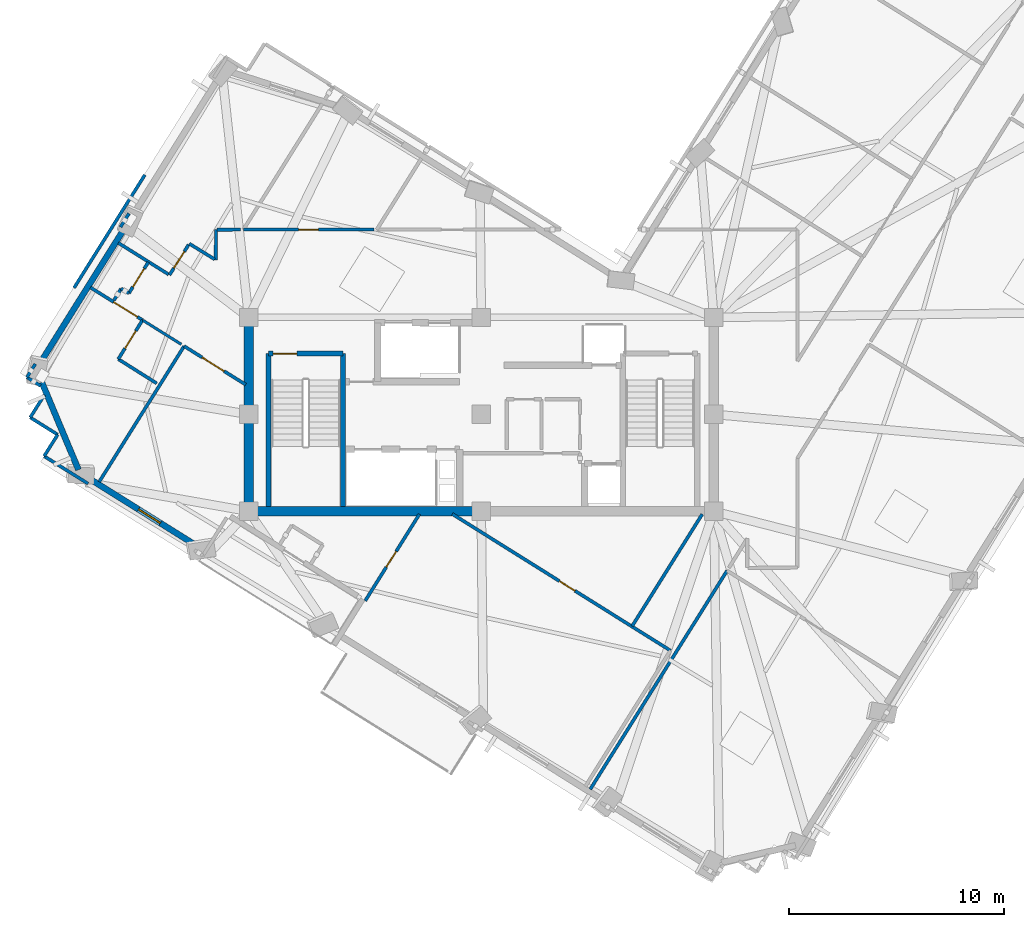
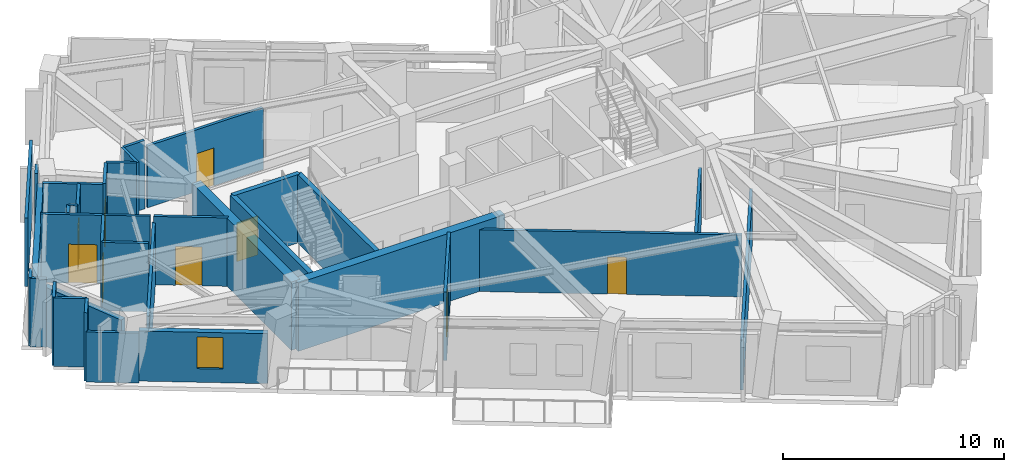
# One storey, part 5 of 12: 35 walls, 9 doors, 1 window, 10 openings.
"""IFC4 building model written with IfcOpenShell, lengths in metres."""

from ifc_helpers import new_model, si_unit, direction, frame, frame_2d, origin, place, context, subcontext, project, spatial, rectangle, extrude, material, layer, layer_set, type_object, element, fill, save


model = new_model("IFC4")

# Units and contexts
model_context = context("Model", 3, precision=1e-05, world=origin(), true_north=direction((0.0, 1.0)))
body_context = subcontext(model_context, "Body", "Model", "MODEL_VIEW")
ifc_project = project(units=[si_unit("LENGTHUNIT", "METRE"), si_unit("AREAUNIT", "SQUARE_METRE"), si_unit("VOLUMEUNIT", "CUBIC_METRE"), si_unit("PLANEANGLEUNIT", "RADIAN"), si_unit("MASSUNIT", "GRAM", prefix="KILO")], contexts=[model_context])

# Site, building, storey
site_placement = place(None, origin())
site = spatial("IfcSite", under=ifc_project, at=site_placement, CompositionType="ELEMENT")
building_placement = place(site_placement, origin())
building = spatial("IfcBuilding", under=site, at=building_placement, Name="Gaonmaruhae Medical Tower", CompositionType="ELEMENT")
storey_placement = place(building_placement, frame((0.0, 0.0, 272.60009765625)))
storey = spatial("IfcBuildingStorey", under=building, at=storey_placement, Name="L65", CompositionType="ELEMENT", Elevation=272.60009765625)

# Walls
ifc_material_1 = material(Name="Concrete C50/60", Category="concrete")
ifc_layer_1 = layer(ifc_material_1, 0.449951171875)
ifc_layer_set_1 = layer_set([ifc_layer_1], Name="Concrete C50/60")
wall_type_1 = type_object("IfcWallType", Name="CW-450 Upper Core Shear Wall", PredefinedType="SHEAR", material=ifc_layer_set_1)
wall_1_placement = place(storey_placement, frame((14.0, 7.800048828125, 0.0), z_axis=(0.0, 0.0, 1.0), x_axis=(1.0, 0.0, 0.0)))
element("IfcWall", 1, at=wall_1_placement, inside=storey, type_object=wall_type_1, Name="L65 Core Shear Wall CSW-S1", PredefinedType="SHEAR", context=body_context, shape_type="SweptSolid", body=[
    extrude(rectangle(XDim=10.800048828125, YDim=0.449951171875, at=frame_2d((5.39990234375, 0.0))), origin(), (0.0, 0.0, 1.0), 3.77978515625),
])
wall_2_placement = place(storey_placement, frame((14.0, 16.800048828125, 0.0), z_axis=(0.0, 0.0, 1.0), x_axis=(0.0, -1.0, 0.0)))
element("IfcWall", 2, at=wall_2_placement, inside=storey, type_object=wall_type_1, Name="L65 Core Shear Wall CSW-W1", PredefinedType="SHEAR", context=body_context, shape_type="SweptSolid", body=[
    extrude(rectangle(XDim=9.0, YDim=0.449951171875, at=frame_2d((4.5, 0.0))), origin(), (0.0, 0.0, 1.0), 3.77978515625),
])
ifc_material_2 = material(Name="Precast concrete C45/55", Category="concrete")
ifc_layer_2 = layer(ifc_material_2, 0.280029296875)
ifc_layer_set_2 = layer_set([ifc_layer_2], Name="Precast concrete C45/55")
wall_type_2 = type_object("IfcWallType", Name="EW-280 Upper Precast Masonry-Frame Facade Wall", PredefinedType="SOLIDWALL", material=ifc_layer_set_2)
wall_3_placement = place(storey_placement, frame((4.236083984375, 14.5517578125, 0.0), z_axis=(0.0, 0.0, 1.0), x_axis=(0.530664333184, 0.847582070059, 0.0)))
element("IfcWall", 3, at=wall_3_placement, inside=storey, type_object=wall_type_2, Name="L65 Precast Masonry-Frame Wall N02-N03", PredefinedType="SOLIDWALL", context=body_context, shape_type="SweptSolid", body=[
    extrude(rectangle(XDim=7.48486328125, YDim=0.280029296875, at=frame_2d((3.742431640625, 0.0))), origin(), (0.0, 0.0, 1.0), 3.264892578125),
])
wall_4_placement = place(storey_placement, frame((6.0966796875, 9.72705078125, 0.0), z_axis=(0.0, 0.0, 1.0), x_axis=(-0.386419734829, 0.922323039143, 0.0)))
element("IfcWall", 4, at=wall_4_placement, inside=storey, type_object=wall_type_2, Name="L65 Precast Masonry-Frame Wall N03-W01", PredefinedType="SOLIDWALL", context=body_context, shape_type="SweptSolid", body=[
    extrude(rectangle(XDim=4.407958984375, YDim=0.280029296875, at=frame_2d((2.2041015625, 0.0))), origin(), (0.0, 0.0, 1.0), 3.264892578125),
])

# Wall, opening, window
wall_5_placement = place(storey_placement, frame((11.605712890625, 6.18408203125, 0.0), z_axis=(0.0, 0.0, 1.0), x_axis=(-0.847576941241, 0.530672524893, 0.0)))
wall_5 = element("IfcWall", 5, at=wall_5_placement, inside=storey, type_object=wall_type_2, Name="L65 Precast Masonry-Frame Wall W01-W02", PredefinedType="SOLIDWALL", context=body_context, shape_type="SweptSolid", body=[
    extrude(rectangle(XDim=5.830322265625, YDim=0.280029296875, at=frame_2d((2.9150390625, 0.0))), origin(), (0.0, 0.0, 1.0), 2.764892578125),
])
opening_1_placement = place(wall_5_placement, frame((2.014892578125, 0.0, 0.75)))
opening_1 = element("IfcOpeningElement", 6, at=opening_1_placement, cuts=wall_5, Name="Opening WN-05", PredefinedType="OPENING", context=body_context, shape_type="SweptSolid", body=[
    extrude(rectangle(XDim=1.199951171875, YDim=1.75, at=frame_2d((0.60009765625, 0.875))), frame((0.0, 0.14990234375, 0.0), z_axis=(0.0, -1.0, 0.0), x_axis=(1.0, 0.0, 0.0)), (0.0, 0.0, 1.0), 0.300048828125),
])
ifc_material_3 = material(Name="Anodised aluminium and Low-E double glazing", Category="aluminium")
window_type = type_object("IfcWindowType", Name="WN-05 Support & Staff Punched Window 1200x1750", PartitioningType="SINGLE_PANEL", PredefinedType="WINDOW", material=ifc_material_3)
window_placement = place(opening_1_placement, origin())
window = element("IfcWindow", 7, at=window_placement, inside=storey, type_object=window_type, Name="L65 Modular Facade Window W01", OverallHeight=1.75, OverallWidth=1.199951171875, PartitioningType="SINGLE_PANEL", PredefinedType="WINDOW", context=body_context, shape_type="SweptSolid", body=[
    extrude(rectangle(XDim=1.199951171875, YDim=1.75, at=frame_2d((0.60009765625, 0.875))), frame((0.0, 0.030029296875, 0.0), z_axis=(0.0, -1.0, 0.0), x_axis=(1.0, 0.0, 0.0)), (0.0, 0.0, 1.0), 0.06005859375),
])
fill(opening_1, window)

# Walls
ifc_material_4 = material(Name="Gypsum board partition", Category="gypsum")
ifc_layer_3 = layer(ifc_material_4, 0.125)
ifc_layer_set_3 = layer_set([ifc_layer_3], Name="Gypsum board partition")
wall_type_3 = type_object("IfcWallType", Name="PW-125 Ward & En-Suite Acoustic Partition", PredefinedType="PARTITIONING", material=ifc_layer_set_3)
wall_6_placement = place(storey_placement, frame((9.089111328125, 16.66796875, 0.0), z_axis=(0.0, 0.0, 1.0), x_axis=(0.847436188004, -0.530897266202, 0.0)))
element("IfcWall", 8, at=wall_6_placement, inside=storey, type_object=wall_type_3, Name="L65 Interior Partition L65-ENS01-56", PredefinedType="PARTITIONING", context=body_context, shape_type="SweptSolid", body=[
    extrude(rectangle(XDim=2.10009765625, YDim=0.125, at=frame_2d((1.050048828125, 0.0))), origin(), (0.0, 0.0, 1.0), 3.77978515625),
])
ifc_layer_4 = layer(ifc_material_4, 0.14990234375)
ifc_layer_set_4 = layer_set([ifc_layer_4], Name="Gypsum board partition")
wall_type_4 = type_object("IfcWallType", Name="PW-150 Rated Clinical Corridor Partition", PredefinedType="PARTITIONING", material=ifc_layer_set_4)
wall_7_placement = place(storey_placement, frame((29.85888671875, -5.10791015625, 0.0), z_axis=(0.0, 0.0, 1.0), x_axis=(0.530618227444, 0.847610934748, 0.0)))
element("IfcWall", 9, at=wall_7_placement, inside=storey, type_object=wall_type_4, Name="L65 Interior Partition L65-SUP01-12", PredefinedType="PARTITIONING", context=body_context, shape_type="SweptSolid", body=[
    extrude(rectangle(XDim=11.974609375, YDim=0.14990234375, at=frame_2d((5.9873046875, 0.0))), origin(), (0.0, 0.0, 1.0), 2.764892578125),
])

# Wall, opening, door
wall_8_placement = place(storey_placement, frame((19.410888671875, 3.64501953125, 0.0), z_axis=(0.0, 0.0, 1.0), x_axis=(0.530785412047, 0.847506251515, 0.0)))
wall_8 = element("IfcWall", 10, at=wall_8_placement, inside=storey, type_object=wall_type_4, Name="L65 Interior Partition L65-WOF05-38", PredefinedType="PARTITIONING", context=body_context, shape_type="SweptSolid", body=[
    extrude(rectangle(XDim=4.7421875, YDim=0.14990234375, at=frame_2d((2.37109375, 0.0))), origin(), (0.0, 0.0, 1.0), 3.77978515625),
])
opening_2_placement = place(wall_8_placement, frame((1.84423828125, 0.0, 0.0)))
opening_2 = element("IfcOpeningElement", 11, at=opening_2_placement, cuts=wall_8, Name="Opening AD-01", PredefinedType="OPENING", context=body_context, shape_type="SweptSolid", body=[
    extrude(rectangle(XDim=0.860107421875, YDim=2.06005859375, at=frame_2d((0.43017578125, 1.030029296875))), frame((0.0, 0.0849609375, 0.0), z_axis=(0.0, -1.0, 0.0), x_axis=(1.0, 0.0, 0.0)), (0.0, 0.0, 1.0), 0.169921875),
])
ifc_material_5 = material(Name="Powder-coated steel access door", Category="steel")
door_type_1 = type_object("IfcDoorType", Name="AD-01 Riser & Closet Access Fire Door 860x2060", OperationType="NOTDEFINED", PredefinedType="DOOR", material=ifc_material_5)
door_1_placement = place(opening_2_placement, origin())
door_1 = element("IfcDoor", 12, at=door_1_placement, inside=storey, type_object=door_type_1, Name="L65 Ward Physician Reporting Office Sliding Door", OperationType="SLIDING_TO_LEFT", OverallHeight=2.06005859375, OverallWidth=0.860107421875, PredefinedType="DOOR", context=body_context, shape_type="SweptSolid", body=[
    extrude(rectangle(XDim=0.860107421875, YDim=2.06005859375, at=frame_2d((0.43017578125, 1.030029296875))), frame((0.0, 0.02490234375, 0.0), z_axis=(0.0, -1.0, 0.0), x_axis=(1.0, 0.0, 0.0)), (0.0, 0.0, 1.0), 0.050048828125),
])
fill(opening_2, door_1)

wall_9_placement = place(storey_placement, frame((23.451904296875, 7.675048828125, 0.0), z_axis=(0.0, 0.0, 1.0), x_axis=(0.847604512147, -0.530628486786, 0.0)))
wall_9 = element("IfcWall", 13, at=wall_9_placement, inside=storey, type_object=wall_type_4, Name="L65 Interior Partition L65-WOF05-39", PredefinedType="PARTITIONING", context=body_context, shape_type="SweptSolid", body=[
    extrude(rectangle(XDim=11.953857421875, YDim=0.14990234375, at=frame_2d((5.97705078125, 0.0))), origin(), (0.0, 0.0, 1.0), 3.414794921875),
])
opening_3_placement = place(wall_9_placement, frame((5.8671875, 0.0, 0.0)))
opening_3 = element("IfcOpeningElement", 14, at=opening_3_placement, cuts=wall_9, Name="Opening AD-01", PredefinedType="OPENING", context=body_context, shape_type="SweptSolid", body=[
    extrude(rectangle(XDim=0.860107421875, YDim=2.06005859375, at=frame_2d((0.43017578125, 1.030029296875))), frame((0.0, 0.0849609375, 0.0), z_axis=(0.0, -1.0, 0.0), x_axis=(1.0, 0.0, 0.0)), (0.0, 0.0, 1.0), 0.169921875),
])
door_2_placement = place(opening_3_placement, origin())
door_2 = element("IfcDoor", 15, at=door_2_placement, inside=storey, type_object=door_type_1, Name="L65 Clinical Case Review Office Sliding Door", OperationType="SLIDING_TO_LEFT", OverallHeight=2.06005859375, OverallWidth=0.860107421875, PredefinedType="DOOR", context=body_context, shape_type="SweptSolid", body=[
    extrude(rectangle(XDim=0.860107421875, YDim=2.06005859375, at=frame_2d((0.43017578125, 1.030029296875))), frame((0.0, 0.02490234375, 0.0), z_axis=(0.0, -1.0, 0.0), x_axis=(1.0, 0.0, 0.0)), (0.0, 0.0, 1.0), 0.050048828125),
])
fill(opening_3, door_2)

# Wall
wall_10_placement = place(storey_placement, frame((7.05908203125, 9.166015625, 0.0), z_axis=(0.0, 0.0, 1.0), x_axis=(0.530586195895, 0.847630986176, 0.0)))
element("IfcWall", 16, at=wall_10_placement, inside=storey, type_object=wall_type_4, Name="L65 Interior Partition L65-WOF06-45", PredefinedType="PARTITIONING", context=body_context, shape_type="SweptSolid", body=[
    extrude(rectangle(XDim=7.434814453125, YDim=0.14990234375, at=frame_2d((3.71728515625, 0.0))), origin(), (0.0, 0.0, 1.0), 3.414794921875),
])

# Wall, opening, door
wall_11_placement = place(storey_placement, frame((11.00390625, 15.468017578125, 0.0), z_axis=(0.0, 0.0, 1.0), x_axis=(0.847668872786, -0.530525665836, 0.0)))
wall_11 = element("IfcWall", 17, at=wall_11_placement, inside=storey, type_object=wall_type_4, Name="L65 Interior Partition L65-WOF06-46", PredefinedType="PARTITIONING", context=body_context, shape_type="SweptSolid", body=[
    extrude(rectangle(XDim=3.3740234375, YDim=0.14990234375, at=frame_2d((1.68701171875, 0.0))), origin(), (0.0, 0.0, 1.0), 3.77978515625),
])
opening_4_placement = place(wall_11_placement, frame((0.990234375, 0.0, 0.0)))
opening_4 = element("IfcOpeningElement", 18, at=opening_4_placement, cuts=wall_11, Name="Opening CD-02", PredefinedType="OPENING", context=body_context, shape_type="SweptSolid", body=[
    extrude(rectangle(XDim=1.199951171875, YDim=2.14990234375, at=frame_2d((0.60009765625, 1.074951171875))), frame((0.0, 0.0849609375, 0.0), z_axis=(0.0, -1.0, 0.0), x_axis=(1.0, 0.0, 0.0)), (0.0, 0.0, 1.0), 0.169921875),
])
ifc_material_6 = material(Name="Antimicrobial laminate timber fire door", Category="wood")
door_type_2 = type_object("IfcDoorType", Name="CD-02 Clinical Treatment & Procedure Door 1200x2150", OperationType="NOTDEFINED", PredefinedType="DOOR", material=ifc_material_6)
door_3_placement = place(opening_4_placement, origin())
door_3 = element("IfcDoor", 19, at=door_3_placement, inside=storey, type_object=door_type_2, Name="L65 Ward Physician Reporting Office Door", OperationType="SINGLE_SWING_LEFT", OverallHeight=2.14990234375, OverallWidth=1.199951171875, PredefinedType="DOOR", context=body_context, shape_type="SweptSolid", body=[
    extrude(rectangle(XDim=1.199951171875, YDim=2.14990234375, at=frame_2d((0.60009765625, 1.074951171875))), frame((0.0, 0.02490234375, 0.0), z_axis=(0.0, -1.0, 0.0), x_axis=(1.0, 0.0, 0.0)), (0.0, 0.0, 1.0), 0.050048828125),
])
fill(opening_4, door_3)

# Walls
wall_12_placement = place(storey_placement, frame((4.339111328125, 13.6240234375, 0.0), z_axis=(0.0, 0.0, 1.0), x_axis=(-0.847357103452, 0.531023482748, 0.0)))
element("IfcWall", 20, at=wall_12_placement, inside=storey, type_object=wall_type_4, Name="L65 Interior Partition L65-BR01-47", PredefinedType="PARTITIONING", context=body_context, shape_type="SweptSolid", body=[
    extrude(rectangle(XDim=0.74951171875, YDim=0.14990234375, at=frame_2d((0.374755859375, 0.0))), origin(), (0.0, 0.0, 1.0), 3.77978515625),
])
wall_13_placement = place(storey_placement, frame((3.7041015625, 14.02197265625, 0.0), z_axis=(0.0, 0.0, 1.0), x_axis=(0.530358912713, 0.847773214784, 0.0)))
element("IfcWall", 21, at=wall_13_placement, inside=storey, type_object=wall_type_4, Name="L65 Interior Partition L65-BR01-48", PredefinedType="PARTITIONING", context=body_context, shape_type="SweptSolid", body=[
    extrude(rectangle(XDim=0.7314453125, YDim=0.14990234375, at=frame_2d((0.36572265625, 0.0))), origin(), (0.0, 0.0, 1.0), 3.77978515625),
])

# Wall, opening, door
wall_14_placement = place(storey_placement, frame((6.652099609375, 18.193115234375, 0.0), z_axis=(0.0, 0.0, 1.0), x_axis=(0.847575288096, -0.530675165246, 0.0)))
wall_14 = element("IfcWall", 22, at=wall_14_placement, inside=storey, type_object=wall_type_4, Name="L65 Interior Partition L65-BR01-49", PredefinedType="PARTITIONING", context=body_context, shape_type="SweptSolid", body=[
    extrude(rectangle(XDim=2.855224609375, YDim=0.14990234375, at=frame_2d((1.427734375, 0.0))), origin(), (0.0, 0.0, 1.0), 3.77978515625),
])
opening_5_placement = place(wall_14_placement, frame((1.275146484375, 0.0, 0.0)))
opening_5 = element("IfcOpeningElement", 23, at=opening_5_placement, cuts=wall_14, Name="Opening WD-02", PredefinedType="OPENING", context=body_context, shape_type="SweptSolid", body=[
    extrude(rectangle(XDim=1.300048828125, YDim=2.14990234375, at=frame_2d((0.64990234375, 1.074951171875))), frame((0.0, 0.0849609375, 0.0), z_axis=(0.0, -1.0, 0.0), x_axis=(1.0, 0.0, 0.0)), (0.0, 0.0, 1.0), 0.169921875),
])
door_type_3 = type_object("IfcDoorType", Name="WD-02 Isolation & ICU Patient Room Door 1300x2150", OperationType="NOTDEFINED", PredefinedType="DOOR", material=ifc_material_6)
door_4_placement = place(opening_5_placement, origin())
door_4 = element("IfcDoor", 24, at=door_4_placement, inside=storey, type_object=door_type_3, Name="L65 Coronary Step-Down Care Bedroom Sliding Door", OperationType="SLIDING_TO_LEFT", OverallHeight=2.14990234375, OverallWidth=1.300048828125, PredefinedType="DOOR", context=body_context, shape_type="SweptSolid", body=[
    extrude(rectangle(XDim=1.300048828125, YDim=2.14990234375, at=frame_2d((0.64990234375, 1.074951171875))), frame((0.0, 0.02490234375, 0.0), z_axis=(0.0, -1.0, 0.0), x_axis=(1.0, 0.0, 0.0)), (0.0, 0.0, 1.0), 0.050048828125),
])
fill(opening_5, door_4)

wall_15_placement = place(storey_placement, frame((9.072021484375, 16.677978515625, 0.0), z_axis=(0.0, 0.0, 1.0), x_axis=(-0.528455802258, -0.848960814796, 0.0)))
wall_15 = element("IfcWall", 25, at=wall_15_placement, inside=storey, type_object=wall_type_4, Name="L65 Interior Partition L65-BR01-50", PredefinedType="PARTITIONING", context=body_context, shape_type="SweptSolid", body=[
    extrude(rectangle(XDim=2.13427734375, YDim=0.14990234375, at=frame_2d((1.067138671875, 0.0))), origin(), (0.0, 0.0, 1.0), 3.77978515625),
])
opening_6_placement = place(wall_15_placement, frame((0.59228515625, 0.0, 0.0)))
opening_6 = element("IfcOpeningElement", 26, at=opening_6_placement, cuts=wall_15, Name="Opening ED-01", PredefinedType="OPENING", context=body_context, shape_type="SweptSolid", body=[
    extrude(rectangle(XDim=0.949951171875, YDim=2.10009765625, at=frame_2d((0.47509765625, 1.050048828125))), frame((0.0, 0.0849609375, 0.0), z_axis=(0.0, -1.0, 0.0), x_axis=(1.0, 0.0, 0.0)), (0.0, 0.0, 1.0), 0.169921875),
])
ifc_material_7 = material(Name="Moisture-resistant HPL hospital door", Category="wood")
door_type_4 = type_object("IfcDoorType", Name="ED-01 Patient En-Suite Bathroom Door 950x2100", OperationType="NOTDEFINED", PredefinedType="DOOR", material=ifc_material_7)
door_5_placement = place(opening_6_placement, origin())
door_5 = element("IfcDoor", 27, at=door_5_placement, inside=storey, type_object=door_type_4, Name="L65 Patient En-Suite Bathroom Door", OperationType="SINGLE_SWING_LEFT", OverallHeight=2.10009765625, OverallWidth=0.949951171875, PredefinedType="DOOR", context=body_context, shape_type="SweptSolid", body=[
    extrude(rectangle(XDim=0.949951171875, YDim=2.10009765625, at=frame_2d((0.47509765625, 1.050048828125))), frame((0.0, 0.02490234375, 0.0), z_axis=(0.0, -1.0, 0.0), x_axis=(1.0, 0.0, 0.0)), (0.0, 0.0, 1.0), 0.050048828125),
])
fill(opening_6, door_5)

# Walls
wall_16_placement = place(storey_placement, frame((7.944091796875, 14.865966796875, 0.0), z_axis=(0.0, 0.0, 1.0), x_axis=(0.846092038833, -0.533036829706, 0.0)))
element("IfcWall", 28, at=wall_16_placement, inside=storey, type_object=wall_type_4, Name="L65 Interior Partition L65-BR01-51", PredefinedType="PARTITIONING", context=body_context, shape_type="SweptSolid", body=[
    extrude(rectangle(XDim=2.1142578125, YDim=0.14990234375, at=frame_2d((1.05712890625, 0.0))), origin(), (0.0, 0.0, 1.0), 3.77978515625),
])
wall_17_placement = place(storey_placement, frame((6.5419921875, 9.0830078125, 0.0), z_axis=(0.0, 0.0, 1.0), x_axis=(-0.847610563835, 0.53061881994, 0.0)))
element("IfcWall", 29, at=wall_17_placement, inside=storey, type_object=wall_type_4, Name="L65 Interior Partition L65-BR01-52", PredefinedType="PARTITIONING", context=body_context, shape_type="SweptSolid", body=[
    extrude(rectangle(XDim=2.40673828125, YDim=0.14990234375, at=frame_2d((1.203369140625, 0.0))), origin(), (0.0, 0.0, 1.0), 2.764892578125),
])
wall_18_placement = place(storey_placement, frame((4.501953125, 10.360107421875, 0.0), z_axis=(0.0, 0.0, 1.0), x_axis=(0.531188381302, 0.84725374214, 0.0)))
element("IfcWall", 30, at=wall_18_placement, inside=storey, type_object=wall_type_4, Name="L65 Interior Partition L65-BR01-53", PredefinedType="PARTITIONING", context=body_context, shape_type="SweptSolid", body=[
    extrude(rectangle(XDim=1.18017578125, YDim=0.14990234375, at=frame_2d((0.590087890625, 0.0))), origin(), (0.0, 0.0, 1.0), 3.77978515625),
])
wall_19_placement = place(storey_placement, frame((5.12890625, 11.360107421875, 0.0), z_axis=(0.0, 0.0, 1.0), x_axis=(-0.847723958582, 0.530437640111, 0.0)))
element("IfcWall", 31, at=wall_19_placement, inside=storey, type_object=wall_type_4, Name="L65 Interior Partition L65-BR01-54", PredefinedType="PARTITIONING", context=body_context, shape_type="SweptSolid", body=[
    extrude(rectangle(XDim=1.50048828125, YDim=0.14990234375, at=frame_2d((0.750244140625, 0.0))), origin(), (0.0, 0.0, 1.0), 3.77978515625),
])
wall_20_placement = place(storey_placement, frame((3.85693359375, 12.156005859375, 0.0), z_axis=(0.0, 0.0, 1.0), x_axis=(0.530406374344, 0.847743521388, 0.0)))
element("IfcWall", 32, at=wall_20_placement, inside=storey, type_object=wall_type_4, Name="L65 Interior Partition L65-BR01-55", PredefinedType="PARTITIONING", context=body_context, shape_type="SweptSolid", body=[
    extrude(rectangle(XDim=1.238525390625, YDim=0.14990234375, at=frame_2d((0.619140625, 0.0))), origin(), (0.0, 0.0, 1.0), 3.77978515625),
])

# Wall, opening, door
wall_21_placement = place(storey_placement, frame((19.80810546875, 20.8798828125, 0.0), z_axis=(0.0, 0.0, 1.0), x_axis=(-1.0, 0.0, 0.0)))
wall_21 = element("IfcWall", 33, at=wall_21_placement, inside=storey, type_object=wall_type_4, Name="L65 Interior Partition L65-IN02-68", PredefinedType="PARTITIONING", context=body_context, shape_type="SweptSolid", body=[
    extrude(rectangle(XDim=6.05322265625, YDim=0.14990234375, at=frame_2d((3.026611328125, 0.0))), origin(), (0.0, 0.0, 1.0), 3.414794921875),
])
opening_7_placement = place(wall_21_placement, frame((2.56640625, 0.0, 0.0)))
opening_7 = element("IfcOpeningElement", 34, at=opening_7_placement, cuts=wall_21, Name="Opening UD-01", PredefinedType="OPENING", context=body_context, shape_type="SweptSolid", body=[
    extrude(rectangle(XDim=0.919921875, YDim=2.10009765625, at=frame_2d((0.4599609375, 1.050048828125))), frame((0.0, 0.0849609375, 0.0), z_axis=(0.0, -1.0, 0.0), x_axis=(1.0, 0.0, 0.0)), (0.0, 0.0, 1.0), 0.169921875),
])
ifc_material_8 = material(Name="Powder-coated steel utility door", Category="steel")
door_type_5 = type_object("IfcDoorType", Name="UD-01 Toilet, Utility & Housekeeping Door 920x2100", OperationType="NOTDEFINED", PredefinedType="DOOR", material=ifc_material_8)
door_6_placement = place(opening_7_placement, origin())
door_6 = element("IfcDoor", 35, at=door_6_placement, inside=storey, type_object=door_type_5, Name="L65 Ward Nutrition Pantry Door", OperationType="SINGLE_SWING_LEFT", OverallHeight=2.10009765625, OverallWidth=0.919921875, PredefinedType="DOOR", context=body_context, shape_type="SweptSolid", body=[
    extrude(rectangle(XDim=0.919921875, YDim=2.10009765625, at=frame_2d((0.4599609375, 1.050048828125))), frame((0.0, 0.02490234375, 0.0), z_axis=(0.0, -1.0, 0.0), x_axis=(1.0, 0.0, 0.0)), (0.0, 0.0, 1.0), 0.050048828125),
])
fill(opening_7, door_6)

# Walls
wall_22_placement = place(storey_placement, frame((12.48291015625, 20.875, 0.0), z_axis=(0.0, 0.0, 1.0), x_axis=(-0.009215397231, -0.999957537325, 0.0)))
element("IfcWall", 36, at=wall_22_placement, inside=storey, type_object=wall_type_4, Name="L65 Interior Partition L65-IN03-72", PredefinedType="PARTITIONING", context=body_context, shape_type="SweptSolid", body=[
    extrude(rectangle(XDim=1.404052734375, YDim=0.14990234375, at=frame_2d((0.7021484375, 0.0))), origin(), (0.0, 0.0, 1.0), 3.77978515625),
])
wall_23_placement = place(storey_placement, frame((12.419921875, 19.501953125, 0.0), z_axis=(0.0, 0.0, 1.0), x_axis=(-0.851912829568, 0.523683617098, 0.0)))
element("IfcWall", 37, at=wall_23_placement, inside=storey, type_object=wall_type_4, Name="L65 Interior Partition L65-IN03-73", PredefinedType="PARTITIONING", context=body_context, shape_type="SweptSolid", body=[
    extrude(rectangle(XDim=1.3828125, YDim=0.14990234375, at=frame_2d((0.69140625, 0.0))), origin(), (0.0, 0.0, 1.0), 3.77978515625),
])

# Wall, opening, door
wall_24_placement = place(storey_placement, frame((11.215087890625, 20.18408203125, 0.0), z_axis=(0.0, 0.0, 1.0), x_axis=(-0.533937952573, -0.845523661882, 0.0)))
wall_24 = element("IfcWall", 38, at=wall_24_placement, inside=storey, type_object=wall_type_4, Name="L65 Interior Partition L65-IN03-74", PredefinedType="PARTITIONING", context=body_context, shape_type="SweptSolid", body=[
    extrude(rectangle(XDim=1.6689453125, YDim=0.14990234375, at=frame_2d((0.83447265625, 0.0))), origin(), (0.0, 0.0, 1.0), 3.77978515625),
])
opening_8_placement = place(wall_24_placement, frame((0.37451171875, 0.0, 0.0)))
opening_8 = element("IfcOpeningElement", 39, at=opening_8_placement, cuts=wall_24, Name="Opening UD-01", PredefinedType="OPENING", context=body_context, shape_type="SweptSolid", body=[
    extrude(rectangle(XDim=0.919921875, YDim=2.10009765625, at=frame_2d((0.4599609375, 1.050048828125))), frame((0.0, 0.0849609375, 0.0), z_axis=(0.0, -1.0, 0.0), x_axis=(1.0, 0.0, 0.0)), (0.0, 0.0, 1.0), 0.169921875),
])
door_7_placement = place(opening_8_placement, origin())
door_7 = element("IfcDoor", 40, at=door_7_placement, inside=storey, type_object=door_type_5, Name="L65 Public Visitor Toilet Door", OperationType="SINGLE_SWING_LEFT", OverallHeight=2.10009765625, OverallWidth=0.919921875, PredefinedType="DOOR", context=body_context, shape_type="SweptSolid", body=[
    extrude(rectangle(XDim=0.919921875, YDim=2.10009765625, at=frame_2d((0.4599609375, 1.050048828125))), frame((0.0, 0.02490234375, 0.0), z_axis=(0.0, -1.0, 0.0), x_axis=(1.0, 0.0, 0.0)), (0.0, 0.0, 1.0), 0.050048828125),
])
fill(opening_8, door_7)

# Walls
wall_25_placement = place(storey_placement, frame((10.281982421875, 18.800048828125, 0.0), z_axis=(0.0, 0.0, 1.0), x_axis=(-0.847739258665, 0.530413187354, 0.0)))
element("IfcWall", 41, at=wall_25_placement, inside=storey, type_object=wall_type_4, Name="L65 Interior Partition L65-IN03-75", PredefinedType="PARTITIONING", context=body_context, shape_type="SweptSolid", body=[
    extrude(rectangle(XDim=2.75439453125, YDim=0.14990234375, at=frame_2d((1.377197265625, 0.0))), origin(), (0.0, 0.0, 1.0), 3.77978515625),
])
wall_26_placement = place(storey_placement, frame((8.047119140625, 20.9970703125, 0.0), z_axis=(0.0, 0.0, 1.0), x_axis=(0.531408304338, 0.847115820937, 0.0)))
element("IfcWall", 42, at=wall_26_placement, inside=storey, type_object=wall_type_4, Name="L65 Interior Partition L65-IN03-76", PredefinedType="PARTITIONING", context=body_context, shape_type="SweptSolid", body=[
    extrude(rectangle(XDim=0.7470703125, YDim=0.14990234375, at=frame_2d((0.37353515625, 0.0))), origin(), (0.0, 0.0, 1.0), 3.77978515625),
])
wall_27_placement = place(storey_placement, frame((13.614013671875, 20.8798828125, 0.0), z_axis=(0.0, 0.0, 1.0), x_axis=(-0.999989799813, -0.004516665762, 0.0)))
element("IfcWall", 43, at=wall_27_placement, inside=storey, type_object=wall_type_4, Name="L65 Interior Partition L65-IN03-81", PredefinedType="PARTITIONING", context=body_context, shape_type="SweptSolid", body=[
    extrude(rectangle(XDim=1.0810546875, YDim=0.14990234375, at=frame_2d((0.54052734375, 0.0))), origin(), (0.0, 0.0, 1.0), 3.77978515625),
])
wall_28_placement = place(storey_placement, frame((35.05908203125, 7.6640625, 0.0), z_axis=(0.0, 0.0, 1.0), x_axis=(-0.530661027952, -0.84758413943, 0.0)))
element("IfcWall", 44, at=wall_28_placement, inside=storey, type_object=wall_type_4, Name="L65 Interior Partition L65-RM01-82", PredefinedType="PARTITIONING", context=body_context, shape_type="SweptSolid", body=[
    extrude(rectangle(XDim=6.13037109375, YDim=0.14990234375, at=frame_2d((3.065185546875, 0.0))), origin(), (0.0, 0.0, 1.0), 2.764892578125),
])
wall_29_placement = place(storey_placement, frame((8.074951171875, 18.14111328125, 0.0), z_axis=(0.0, 0.0, 1.0), x_axis=(-0.515577678188, -0.85684284309, 0.0)))
element("IfcWall", 45, at=wall_29_placement, inside=storey, type_object=wall_type_4, Name="L65 Interior Partition L65-RM02-83", PredefinedType="PARTITIONING", context=body_context, shape_type="SweptSolid", body=[
    extrude(rectangle(XDim=0.63037109375, YDim=0.14990234375, at=frame_2d((0.315185546875, 0.0))), origin(), (0.0, 0.0, 1.0), 3.77978515625),
])
wall_30_placement = place(storey_placement, frame((5.89111328125, 18.174072265625, 0.0), z_axis=(0.0, 0.0, 1.0), x_axis=(0.530654624603, 0.847588148447, 0.0)))
element("IfcWall", 46, at=wall_30_placement, inside=storey, type_object=wall_type_4, Name="L65 Interior Partition L65-RM02-84", PredefinedType="PARTITIONING", context=body_context, shape_type="SweptSolid", body=[
    extrude(rectangle(XDim=6.190185546875, YDim=0.14990234375, at=frame_2d((3.09521484375, 0.0))), origin(), (0.0, 0.0, 1.0), 3.77978515625),
])

# Wall, opening, door
wall_31_placement = place(storey_placement, frame((9.341064453125, 19.368896484375, 0.0), z_axis=(0.0, 0.0, 1.0), x_axis=(-0.530694401654, -0.847563243689, 0.0)))
wall_31 = element("IfcWall", 47, at=wall_31_placement, inside=storey, type_object=wall_type_4, Name="L65 Interior Partition L65-RM02-85", PredefinedType="PARTITIONING", context=body_context, shape_type="SweptSolid", body=[
    extrude(rectangle(XDim=1.70361328125, YDim=0.14990234375, at=frame_2d((0.851806640625, 0.0))), origin(), (0.0, 0.0, 1.0), 3.77978515625),
])
opening_9_placement = place(wall_31_placement, frame((0.351806640625, 0.0, 0.0)))
opening_9 = element("IfcOpeningElement", 48, at=opening_9_placement, cuts=wall_31, Name="Opening CD-01", PredefinedType="OPENING", context=body_context, shape_type="SweptSolid", body=[
    extrude(rectangle(XDim=1.0, YDim=2.1201171875, at=frame_2d((0.5, 1.06005859375))), frame((0.0, 0.0849609375, 0.0), z_axis=(0.0, -1.0, 0.0), x_axis=(1.0, 0.0, 0.0)), (0.0, 0.0, 1.0), 0.169921875),
])
door_type_6 = type_object("IfcDoorType", Name="CD-01 Consultation & Physician Office Door 1000x2120", OperationType="NOTDEFINED", PredefinedType="DOOR", material=ifc_material_6)
door_8_placement = place(opening_9_placement, origin())
door_8 = element("IfcDoor", 49, at=door_8_placement, inside=storey, type_object=door_type_6, Name="L65 Care Team Clinical Charting Office Door", OperationType="SINGLE_SWING_LEFT", OverallHeight=2.1201171875, OverallWidth=1.0, PredefinedType="DOOR", context=body_context, shape_type="SweptSolid", body=[
    extrude(rectangle(XDim=1.0, YDim=2.1201171875, at=frame_2d((0.5, 1.06005859375))), frame((0.0, 0.02490234375, 0.0), z_axis=(0.0, -1.0, 0.0), x_axis=(1.0, 0.0, 0.0)), (0.0, 0.0, 1.0), 0.050048828125),
])
fill(opening_9, door_8)

# Wall
wall_32_placement = place(storey_placement, frame((8.43701171875, 17.925048828125, 0.0), z_axis=(0.0, 0.0, 1.0), x_axis=(-0.858716693244, 0.512450622738, 0.0)))
element("IfcWall", 50, at=wall_32_placement, inside=storey, type_object=wall_type_4, Name="L65 Interior Partition L65-RM02-86", PredefinedType="PARTITIONING", context=body_context, shape_type="SweptSolid", body=[
    extrude(rectangle(XDim=0.421630859375, YDim=0.14990234375, at=frame_2d((0.2109375, 0.0))), origin(), (0.0, 0.0, 1.0), 3.77978515625),
])

# Wall, opening, door
ifc_layer_5 = layer(ifc_material_1, 0.239990234375)
ifc_layer_set_5 = layer_set([ifc_layer_5], Name="Concrete C50/60")
wall_type_5 = type_object("IfcWallType", Name="SW-240 Dogleg Stair Tight Shaft Wall", PredefinedType="SOLIDWALL", material=ifc_layer_set_5)
wall_33_placement = place(storey_placement, frame((14.919921875, 15.1201171875, 0.0), z_axis=(0.0, 0.0, 1.0), x_axis=(1.0, 0.0, 0.0)))
wall_33 = element("IfcWall", 51, at=wall_33_placement, inside=storey, type_object=wall_type_5, Name="L65 ST-01 Stair Shaft Wall SHW-ST-01-N", PredefinedType="SOLIDWALL", context=body_context, shape_type="SweptSolid", body=[
    extrude(rectangle(XDim=3.4599609375, YDim=0.239990234375, at=frame_2d((1.72998046875, 0.0))), origin(), (0.0, 0.0, 1.0), 3.77978515625),
])
opening_10_placement = place(wall_33_placement, frame((0.219970703125, 0.0, 0.0)))
opening_10 = element("IfcOpeningElement", 52, at=opening_10_placement, cuts=wall_33, Name="Opening FD-01", PredefinedType="OPENING", context=body_context, shape_type="SweptSolid", body=[
    extrude(rectangle(XDim=1.10009765625, YDim=2.14990234375, at=frame_2d((0.550048828125, 1.074951171875))), frame((0.0, 0.1298828125, 0.0), z_axis=(0.0, -1.0, 0.0), x_axis=(1.0, 0.0, 0.0)), (0.0, 0.0, 1.0), 0.260009765625),
])
ifc_material_9 = material(Name="Powder-coated steel fire door", Category="steel")
door_type_7 = type_object("IfcDoorType", Name="FD-01 Escape Stair Protected Fire Door 1100x2150", OperationType="NOTDEFINED", PredefinedType="DOOR", material=ifc_material_9)
door_9_placement = place(opening_10_placement, origin())
door_9 = element("IfcDoor", 53, at=door_9_placement, inside=storey, type_object=door_type_7, Name="L65 ST-01 Protected Escape Stair Door", OperationType="SINGLE_SWING_RIGHT", OverallHeight=2.14990234375, OverallWidth=1.10009765625, PredefinedType="DOOR", context=body_context, shape_type="SweptSolid", body=[
    extrude(rectangle(XDim=1.10009765625, YDim=2.14990234375, at=frame_2d((0.550048828125, 1.074951171875))), frame((0.0, 0.02490234375, 0.0), z_axis=(0.0, -1.0, 0.0), x_axis=(1.0, 0.0, 0.0)), (0.0, 0.0, 1.0), 0.050048828125),
])
fill(opening_10, door_9)

# Walls
for number, where, z_axis, x_axis, name in (
    (54, (18.3798828125, 15.1201171875, 0.0), (0.0, 0.0, 1.0), (0.0, -1.0, 0.0), "L65 ST-01 Stair Shaft Wall SHW-ST-01-E"),
    (55, (14.919921875, 8.02490234375, 0.0), (0.0, 0.0, 1.0), (0.0, 1.0, 0.0), "L65 ST-01 Stair Shaft Wall SHW-ST-01-W"),
):
    element("IfcWall", number, at=place(storey_placement, frame(where, z_axis=z_axis, x_axis=x_axis)), inside=storey, type_object=wall_type_5, Name=name, PredefinedType="SOLIDWALL", context=body_context, shape_type="SweptSolid", body=[
        extrude(rectangle(XDim=7.09521484375, YDim=0.239990234375, at=frame_2d((3.547607421875, 0.0))), origin(), (0.0, 0.0, 1.0), 3.77978515625),
    ])

save(model, "model.ifc")
